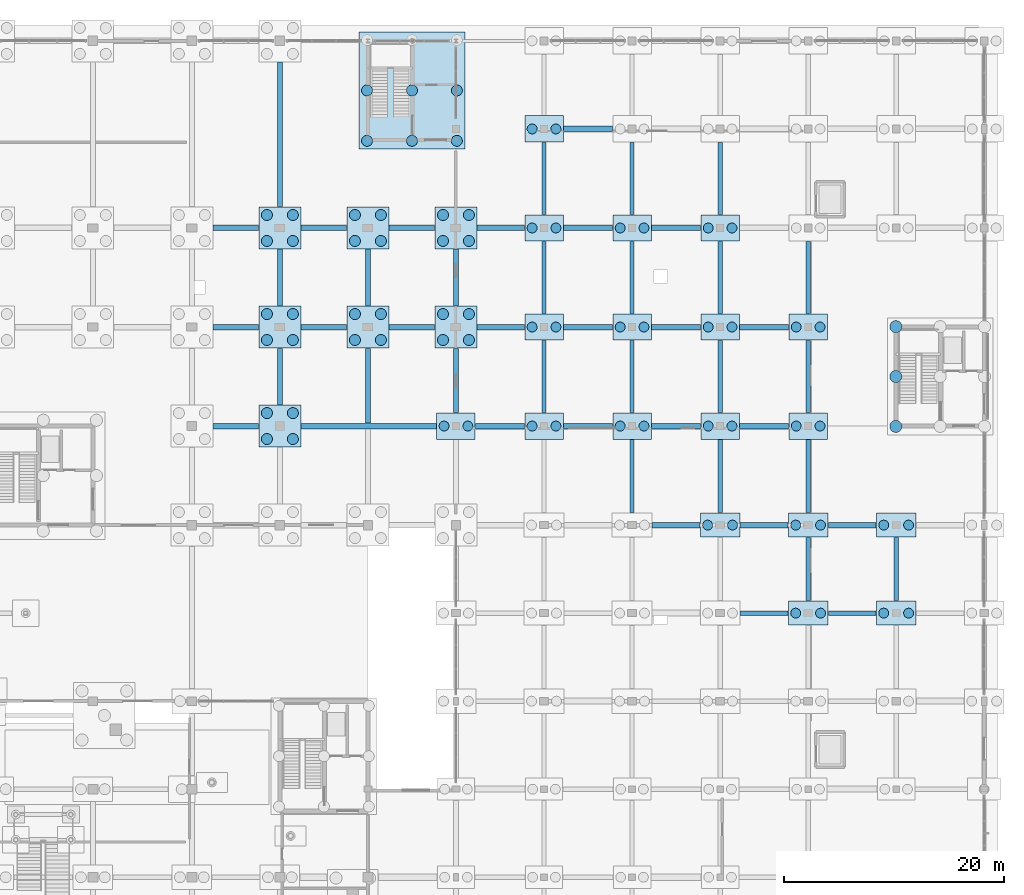
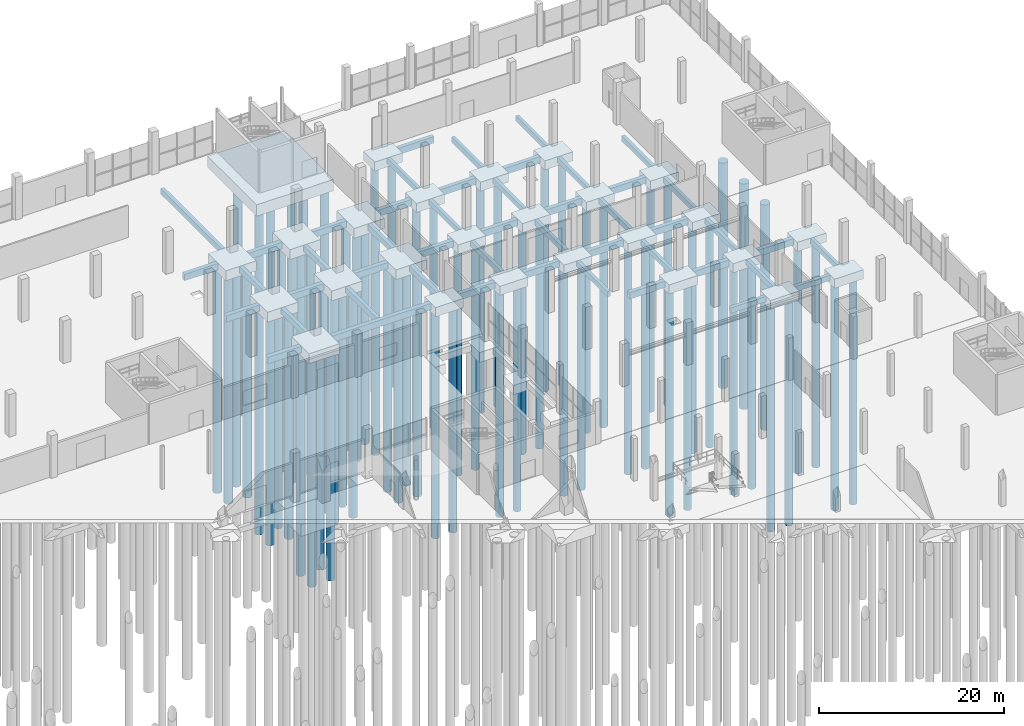
# One storey, part 10 of 98: 74 footings, 73 piles.
"""IFC4 building model written with IfcOpenShell, lengths in metres."""

from ifc_helpers import new_model, si_unit, derived_unit, direction, frame, origin, origin_2d, place, context, subcontext, project, spatial, rectangle, circle, extrude, material, layer, layer_set, material_profile, profile_set, type_object, element, save


model = new_model("IFC4")

# Units and contexts
model_context = context("Model", 3, precision=1e-05, world=origin(), true_north=direction((0.0, 1.0)))
body_context = subcontext(model_context, "Body", "Model", "MODEL_VIEW")
ifc_project = project(units=[si_unit("LENGTHUNIT", "METRE"), si_unit("AREAUNIT", "SQUARE_METRE"), si_unit("VOLUMEUNIT", "CUBIC_METRE"), si_unit("PLANEANGLEUNIT", "RADIAN"), si_unit("MASSUNIT", "GRAM", prefix="KILO"), si_unit("THERMODYNAMICTEMPERATUREUNIT", "KELVIN"), derived_unit("THERMALTRANSMITTANCEUNIT", [(si_unit("POWERUNIT", "WATT"), 1), (si_unit("AREAUNIT", "SQUARE_METRE"), -1), (si_unit("THERMODYNAMICTEMPERATUREUNIT", "KELVIN"), -1)])], contexts=[model_context])

# Site, building, storey
site_placement = place(None, origin())
site = spatial("IfcSite", under=ifc_project, at=site_placement, CompositionType="ELEMENT")
building_placement = place(site_placement, origin())
building = spatial("IfcBuilding", under=site, at=building_placement, Name="Haiyu Intermodal Mobility Hub", CompositionType="ELEMENT")
storey_placement = place(building_placement, origin())
storey = spatial("IfcBuildingStorey", under=building, at=storey_placement, Name="L00", CompositionType="ELEMENT", Elevation=0.0)

# Footings
ifc_material = material(Name="Concrete C40", Category="concrete")
ifc_layer_1 = layer(ifc_material, 1.300048828125)
ifc_layer_set_1 = layer_set([ifc_layer_1], Name="Concrete C40")
footing_type_1 = type_object("IfcFootingType", Name="CAP-PC03", PredefinedType="PILE_CAP", material=ifc_layer_set_1)
for number, where, z_axis, x_axis, name in (
    (1, (146.0, 122.0, -2.2001953125), (0.0, 0.0, 1.0), (1.0, 0.0, 0.0), "Pile Cap CAP-V4-16P"),
    (2, (146.0, 131.0, -2.2001953125), (0.0, 0.0, 1.0), (1.0, 0.0, 0.0), "Pile Cap CAP-V4-16Q"),
    (3, (154.0, 122.0, -2.2001953125), (0.0, 0.0, 1.0), (1.0, 0.0, 0.0), "Pile Cap CAP-V4-17P"),
    (4, (154.0, 131.0, -2.2001953125), (0.0, 0.0, 1.0), (1.0, 0.0, 0.0), "Pile Cap CAP-V4-17Q"),
    (5, (162.0, 122.0, -2.2001953125), (0.0, 0.0, 1.0), (1.0, 0.0, 0.0), "Pile Cap CAP-V4-18P"),
    (6, (162.0, 131.0, -2.2001953125), (0.0, 0.0, 1.0), (1.0, 0.0, 0.0), "Pile Cap CAP-V4-18Q"),
    (7, (146.0, 113.0, -2.2001953125), (0.0, 0.0, 1.0), (1.0, 0.0, 0.0), "Pile Cap CAP-V3S-16N"),
):
    element("IfcFooting", number, at=place(storey_placement, frame(where, z_axis=z_axis, x_axis=x_axis)), inside=storey, type_object=footing_type_1, Name=name, PredefinedType="PILE_CAP", context=body_context, shape_type="SweptSolid", body=[
        extrude(rectangle(XDim=3.800048828125, YDim=3.800048828125, at=origin_2d()), origin(), (0.0, 0.0, 1.0), 1.300048828125),
    ])
ifc_layer_2 = layer(ifc_material, 1.199951171875)
ifc_layer_set_2 = layer_set([ifc_layer_2], Name="Concrete C40")
footing_type_2 = type_object("IfcFootingType", Name="CAP-PC04", PredefinedType="PILE_CAP", material=ifc_layer_set_2)
for number, where, z_axis, x_axis, name in (
    (8, (186.0, 104.0, -2.10009765625), (0.0, 0.0, 1.0), (1.0, 0.0, 0.0), "Pile Cap CAP-V6-21M"),
    (9, (194.0, 96.0, -2.10009765625), (0.0, 0.0, 1.0), (1.0, 0.0, 0.0), "Pile Cap CAP-V6-22L"),
    (10, (194.0, 104.0, -2.10009765625), (0.0, 0.0, 1.0), (1.0, 0.0, 0.0), "Pile Cap CAP-V6-22M"),
    (11, (202.0, 96.0, -2.10009765625), (0.0, 0.0, 1.0), (1.0, 0.0, 0.0), "Pile Cap CAP-V6-23L"),
    (12, (202.0, 104.0, -2.10009765625), (0.0, 0.0, 1.0), (1.0, 0.0, 0.0), "Pile Cap CAP-V6-23M"),
):
    element("IfcFooting", number, at=place(storey_placement, frame(where, z_axis=z_axis, x_axis=x_axis)), inside=storey, type_object=footing_type_2, Name=name, PredefinedType="PILE_CAP", context=body_context, shape_type="SweptSolid", body=[
        extrude(rectangle(XDim=3.60009765625, YDim=2.199951171875, at=origin_2d()), origin(), (0.0, 0.0, 1.0), 1.199951171875),
    ])
ifc_layer_3 = layer(ifc_material, 1.199951171875)
ifc_layer_set_3 = layer_set([ifc_layer_3], Name="Concrete C40")
footing_type_3 = type_object("IfcFootingType", Name="CAP-PC12", PredefinedType="PILE_CAP", material=ifc_layer_set_3)
for number, where, z_axis, x_axis, name in (
    (13, (162.0, 113.0, -2.10009765625), (0.0, 0.0, 1.0), (1.0, 0.0, 0.0), "Pile Cap CAP-V6-18N"),
    (14, (170.0, 113.0, -2.10009765625), (0.0, 0.0, 1.0), (1.0, 0.0, 0.0), "Pile Cap CAP-V6-19N"),
    (15, (170.0, 122.0, -2.10009765625), (0.0, 0.0, 1.0), (1.0, 0.0, 0.0), "Pile Cap CAP-V6-19P"),
    (16, (170.0, 131.0, -2.10009765625), (0.0, 0.0, 1.0), (1.0, 0.0, 0.0), "Pile Cap CAP-V6-19Q"),
    (17, (170.0, 140.0, -2.10009765625), (0.0, 0.0, 1.0), (1.0, 0.0, 0.0), "Pile Cap CAP-V6-19R"),
    (18, (178.0, 113.0, -2.10009765625), (0.0, 0.0, 1.0), (1.0, 0.0, 0.0), "Pile Cap CAP-V6-20N"),
    (19, (178.0, 122.0, -2.10009765625), (0.0, 0.0, 1.0), (1.0, 0.0, 0.0), "Pile Cap CAP-V6-20P"),
    (20, (178.0, 131.0, -2.10009765625), (0.0, 0.0, 1.0), (1.0, 0.0, 0.0), "Pile Cap CAP-V6-20Q"),
    (21, (186.0, 113.0, -2.10009765625), (0.0, 0.0, 1.0), (1.0, 0.0, 0.0), "Pile Cap CAP-V6-21N"),
    (22, (186.0, 122.0, -2.10009765625), (0.0, 0.0, 1.0), (1.0, 0.0, 0.0), "Pile Cap CAP-V6-21P"),
    (23, (186.0, 131.0, -2.10009765625), (0.0, 0.0, 1.0), (1.0, 0.0, 0.0), "Pile Cap CAP-V6-21Q"),
    (24, (194.0, 113.0, -2.10009765625), (0.0, 0.0, 1.0), (1.0, 0.0, 0.0), "Pile Cap CAP-V6-22N"),
    (25, (194.0, 122.0, -2.10009765625), (0.0, 0.0, 1.0), (1.0, 0.0, 0.0), "Pile Cap CAP-V6-22P"),
):
    element("IfcFooting", number, at=place(storey_placement, frame(where, z_axis=z_axis, x_axis=x_axis)), inside=storey, type_object=footing_type_3, Name=name, PredefinedType="PILE_CAP", context=body_context, shape_type="SweptSolid", body=[
        extrude(rectangle(XDim=3.5, YDim=2.39990234375, at=origin_2d()), origin(), (0.0, 0.0, 1.0), 1.199951171875),
    ])
ifc_layer_4 = layer(ifc_material, 1.5)
ifc_layer_set_4 = layer_set([ifc_layer_4], Name="Concrete C40")
footing_type_4 = type_object("IfcFootingType", Name="CAP-PC16", PredefinedType="PILE_CAP", material=ifc_layer_set_4)
footing_1_placement = place(storey_placement, frame((158.0, 143.5, -2.39990234375), z_axis=(0.0, 0.0, 1.0), x_axis=(1.0, 0.0, 0.0)))
element("IfcFooting", 26, at=footing_1_placement, inside=storey, type_object=footing_type_4, Name="Pile Cap CAP-CORE-C4", PredefinedType="PILE_CAP", context=body_context, shape_type="SweptSolid", body=[
    extrude(rectangle(XDim=9.60009765625, YDim=10.60009765625, at=origin_2d()), origin(), (0.0, 0.0, 1.0), 1.5),
])
ifc_material_profile_1 = material_profile(ifc_material, rectangle(XDim=0.5, YDim=0.85009765625, at=origin_2d()), Name="FB500x850")
ifc_profile_set_1 = profile_set([ifc_material_profile_1], Name="Concrete C40")
footing_type_5 = type_object("IfcFootingType", Name="FBM-FB01", PredefinedType="FOOTING_BEAM", material=ifc_profile_set_1)
for number, where, z_axis, x_axis, name in (
    (27, (179.830078125, 104.0, -1.324951171875), (1.0, 0.0, 0.0), (0.0, 1.0, 0.0), "Foundation Tie Beam FBM-X-152"),
    (28, (187.830078125, 104.0, -1.324951171875), (1.0, 0.0, 0.0), (0.0, 1.0, 0.0), "Foundation Tie Beam FBM-X-153"),
    (29, (195.830078125, 104.0, -1.324951171875), (1.0, 0.0, 0.0), (0.0, 1.0, 0.0), "Foundation Tie Beam FBM-X-154"),
):
    element("IfcFooting", number, at=place(storey_placement, frame(where, z_axis=z_axis, x_axis=x_axis)), inside=storey, type_object=footing_type_5, Name=name, PredefinedType="FOOTING_BEAM", context=body_context, shape_type="SweptSolid", body=[
        extrude(rectangle(XDim=0.5, YDim=0.85009765625, at=origin_2d()), origin(), (0.0, 0.0, 1.0), 4.33984375),
    ])
footing_2_placement = place(storey_placement, frame((139.929931640625, 113.0, -1.324951171875), z_axis=(1.0, 0.0, 0.0), x_axis=(0.0, 1.0, 0.0)))
element("IfcFooting", 30, at=footing_2_placement, inside=storey, type_object=footing_type_5, Name="Foundation Tie Beam FBM-X-159", PredefinedType="FOOTING_BEAM", context=body_context, shape_type="SweptSolid", body=[
    extrude(rectangle(XDim=0.5, YDim=0.85009765625, at=origin_2d()), origin(), (0.0, 0.0, 1.0), 4.14013671875),
])
footing_3_placement = place(storey_placement, frame((147.929931640625, 113.0, -1.324951171875), z_axis=(1.0, 0.0, 0.0), x_axis=(0.0, 1.0, 0.0)))
element("IfcFooting", 31, at=footing_3_placement, inside=storey, type_object=footing_type_5, Name="Foundation Tie Beam FBM-X-160", PredefinedType="FOOTING_BEAM", context=body_context, shape_type="SweptSolid", body=[
    extrude(rectangle(XDim=0.5, YDim=0.85009765625, at=origin_2d()), origin(), (0.0, 0.0, 1.0), 12.2900390625),
])
for number, where, z_axis, x_axis, name in (
    (32, (163.780029296875, 113.0, -1.324951171875), (1.0, 0.0, 0.0), (0.0, 1.0, 0.0), "Foundation Tie Beam FBM-X-161"),
    (33, (171.780029296875, 113.0, -1.324951171875), (1.0, 0.0, 0.0), (0.0, 1.0, 0.0), "Foundation Tie Beam FBM-X-162"),
    (34, (179.780029296875, 113.0, -1.324951171875), (1.0, 0.0, 0.0), (0.0, 1.0, 0.0), "Foundation Tie Beam FBM-X-163"),
    (35, (187.780029296875, 113.0, -1.324951171875), (1.0, 0.0, 0.0), (0.0, 1.0, 0.0), "Foundation Tie Beam FBM-X-164"),
):
    element("IfcFooting", number, at=place(storey_placement, frame(where, z_axis=z_axis, x_axis=x_axis)), inside=storey, type_object=footing_type_5, Name=name, PredefinedType="FOOTING_BEAM", context=body_context, shape_type="SweptSolid", body=[
        extrude(rectangle(XDim=0.5, YDim=0.85009765625, at=origin_2d()), origin(), (0.0, 0.0, 1.0), 4.43994140625),
    ])
for number, where, z_axis, x_axis, name in (
    (36, (139.929931640625, 122.0, -1.324951171875), (1.0, 0.0, 0.0), (0.0, 1.0, 0.0), "Foundation Tie Beam FBM-X-178"),
    (37, (147.929931640625, 122.0, -1.324951171875), (1.0, 0.0, 0.0), (0.0, 1.0, 0.0), "Foundation Tie Beam FBM-X-179"),
    (38, (155.929931640625, 122.0, -1.324951171875), (1.0, 0.0, 0.0), (0.0, 1.0, 0.0), "Foundation Tie Beam FBM-X-180"),
):
    element("IfcFooting", number, at=place(storey_placement, frame(where, z_axis=z_axis, x_axis=x_axis)), inside=storey, type_object=footing_type_5, Name=name, PredefinedType="FOOTING_BEAM", context=body_context, shape_type="SweptSolid", body=[
        extrude(rectangle(XDim=0.5, YDim=0.85009765625, at=origin_2d()), origin(), (0.0, 0.0, 1.0), 4.14013671875),
    ])
footing_4_placement = place(storey_placement, frame((163.929931640625, 122.0, -1.324951171875), z_axis=(1.0, 0.0, 0.0), x_axis=(0.0, 1.0, 0.0)))
element("IfcFooting", 39, at=footing_4_placement, inside=storey, type_object=footing_type_5, Name="Foundation Tie Beam FBM-X-181", PredefinedType="FOOTING_BEAM", context=body_context, shape_type="SweptSolid", body=[
    extrude(rectangle(XDim=0.5, YDim=0.85009765625, at=origin_2d()), origin(), (0.0, 0.0, 1.0), 4.2900390625),
])
for number, where, z_axis, x_axis, name in (
    (40, (171.780029296875, 122.0, -1.324951171875), (1.0, 0.0, 0.0), (0.0, 1.0, 0.0), "Foundation Tie Beam FBM-X-182"),
    (41, (179.780029296875, 122.0, -1.324951171875), (1.0, 0.0, 0.0), (0.0, 1.0, 0.0), "Foundation Tie Beam FBM-X-183"),
    (42, (187.780029296875, 122.0, -1.324951171875), (1.0, 0.0, 0.0), (0.0, 1.0, 0.0), "Foundation Tie Beam FBM-X-184"),
):
    element("IfcFooting", number, at=place(storey_placement, frame(where, z_axis=z_axis, x_axis=x_axis)), inside=storey, type_object=footing_type_5, Name=name, PredefinedType="FOOTING_BEAM", context=body_context, shape_type="SweptSolid", body=[
        extrude(rectangle(XDim=0.5, YDim=0.85009765625, at=origin_2d()), origin(), (0.0, 0.0, 1.0), 4.43994140625),
    ])
for number, where, z_axis, x_axis, name in (
    (43, (139.929931640625, 131.0, -1.324951171875), (1.0, 0.0, 0.0), (0.0, 1.0, 0.0), "Foundation Tie Beam FBM-X-198"),
    (44, (147.929931640625, 131.0, -1.324951171875), (1.0, 0.0, 0.0), (0.0, 1.0, 0.0), "Foundation Tie Beam FBM-X-199"),
    (45, (155.929931640625, 131.0, -1.324951171875), (1.0, 0.0, 0.0), (0.0, 1.0, 0.0), "Foundation Tie Beam FBM-X-200"),
):
    element("IfcFooting", number, at=place(storey_placement, frame(where, z_axis=z_axis, x_axis=x_axis)), inside=storey, type_object=footing_type_5, Name=name, PredefinedType="FOOTING_BEAM", context=body_context, shape_type="SweptSolid", body=[
        extrude(rectangle(XDim=0.5, YDim=0.85009765625, at=origin_2d()), origin(), (0.0, 0.0, 1.0), 4.14013671875),
    ])
footing_5_placement = place(storey_placement, frame((163.929931640625, 131.0, -1.324951171875), z_axis=(1.0, 0.0, 0.0), x_axis=(0.0, 1.0, 0.0)))
element("IfcFooting", 46, at=footing_5_placement, inside=storey, type_object=footing_type_5, Name="Foundation Tie Beam FBM-X-201", PredefinedType="FOOTING_BEAM", context=body_context, shape_type="SweptSolid", body=[
    extrude(rectangle(XDim=0.5, YDim=0.85009765625, at=origin_2d()), origin(), (0.0, 0.0, 1.0), 4.2900390625),
])
for number, where, z_axis, x_axis, name in (
    (47, (171.780029296875, 131.0, -1.324951171875), (1.0, 0.0, 0.0), (0.0, 1.0, 0.0), "Foundation Tie Beam FBM-X-202"),
    (48, (179.780029296875, 131.0, -1.324951171875), (1.0, 0.0, 0.0), (0.0, 1.0, 0.0), "Foundation Tie Beam FBM-X-203"),
    (49, (171.780029296875, 140.0, -1.324951171875), (1.0, 0.0, 0.0), (0.0, 1.0, 0.0), "Foundation Tie Beam FBM-X-207"),
):
    element("IfcFooting", number, at=place(storey_placement, frame(where, z_axis=z_axis, x_axis=x_axis)), inside=storey, type_object=footing_type_5, Name=name, PredefinedType="FOOTING_BEAM", context=body_context, shape_type="SweptSolid", body=[
        extrude(rectangle(XDim=0.5, YDim=0.85009765625, at=origin_2d()), origin(), (0.0, 0.0, 1.0), 4.43994140625),
    ])
ifc_material_profile_2 = material_profile(ifc_material, rectangle(XDim=0.449951171875, YDim=0.75, at=origin_2d()), Name="FB450x750")
ifc_profile_set_2 = profile_set([ifc_material_profile_2], Name="Concrete C40")
footing_type_6 = type_object("IfcFootingType", Name="FBM-FB02", PredefinedType="FOOTING_BEAM", material=ifc_profile_set_2)
for number, where, z_axis, x_axis, name in (
    (50, (146.0, 114.929931640625, -1.27490234375), (0.0, 1.0, 0.0), (-1.0, 0.0, 0.0), "Foundation Tie Beam FBM-Y-342"),
    (51, (146.0, 123.929931640625, -1.27490234375), (0.0, 1.0, 0.0), (-1.0, 0.0, 0.0), "Foundation Tie Beam FBM-Y-343"),
):
    element("IfcFooting", number, at=place(storey_placement, frame(where, z_axis=z_axis, x_axis=x_axis)), inside=storey, type_object=footing_type_6, Name=name, PredefinedType="FOOTING_BEAM", context=body_context, shape_type="SweptSolid", body=[
        extrude(rectangle(XDim=0.449951171875, YDim=0.75, at=origin_2d()), origin(), (0.0, 0.0, 1.0), 5.14013671875),
    ])
footing_6_placement = place(storey_placement, frame((146.0, 132.929931640625, -1.27490234375), z_axis=(0.0, 1.0, 0.0), x_axis=(-1.0, 0.0, 0.0)))
element("IfcFooting", 52, at=footing_6_placement, inside=storey, type_object=footing_type_6, Name="Foundation Tie Beam FBM-Y-344", PredefinedType="FOOTING_BEAM", context=body_context, shape_type="SweptSolid", body=[
    extrude(rectangle(XDim=0.449951171875, YDim=0.75, at=origin_2d()), origin(), (0.0, 0.0, 1.0), 13.14013671875),
])
footing_7_placement = place(storey_placement, frame((154.0, 113.280029296875, -1.27490234375), z_axis=(0.0, 1.0, 0.0), x_axis=(-1.0, 0.0, 0.0)))
element("IfcFooting", 53, at=footing_7_placement, inside=storey, type_object=footing_type_6, Name="Foundation Tie Beam FBM-Y-348", PredefinedType="FOOTING_BEAM", context=body_context, shape_type="SweptSolid", body=[
    extrude(rectangle(XDim=0.449951171875, YDim=0.75, at=origin_2d()), origin(), (0.0, 0.0, 1.0), 6.7900390625),
])
footing_8_placement = place(storey_placement, frame((154.0, 123.929931640625, -1.27490234375), z_axis=(0.0, 1.0, 0.0), x_axis=(-1.0, 0.0, 0.0)))
element("IfcFooting", 54, at=footing_8_placement, inside=storey, type_object=footing_type_6, Name="Foundation Tie Beam FBM-Y-349", PredefinedType="FOOTING_BEAM", context=body_context, shape_type="SweptSolid", body=[
    extrude(rectangle(XDim=0.449951171875, YDim=0.75, at=origin_2d()), origin(), (0.0, 0.0, 1.0), 5.14013671875),
])
footing_9_placement = place(storey_placement, frame((162.0, 114.22998046875, -1.27490234375), z_axis=(0.0, 1.0, 0.0), x_axis=(-1.0, 0.0, 0.0)))
element("IfcFooting", 55, at=footing_9_placement, inside=storey, type_object=footing_type_6, Name="Foundation Tie Beam FBM-Y-360", PredefinedType="FOOTING_BEAM", context=body_context, shape_type="SweptSolid", body=[
    extrude(rectangle(XDim=0.449951171875, YDim=0.75, at=origin_2d()), origin(), (0.0, 0.0, 1.0), 5.840087890625),
])
footing_10_placement = place(storey_placement, frame((162.0, 123.929931640625, -1.27490234375), z_axis=(0.0, 1.0, 0.0), x_axis=(-1.0, 0.0, 0.0)))
element("IfcFooting", 56, at=footing_10_placement, inside=storey, type_object=footing_type_6, Name="Foundation Tie Beam FBM-Y-361", PredefinedType="FOOTING_BEAM", context=body_context, shape_type="SweptSolid", body=[
    extrude(rectangle(XDim=0.449951171875, YDim=0.75, at=origin_2d()), origin(), (0.0, 0.0, 1.0), 5.14013671875),
])
ifc_material_profile_3 = material_profile(ifc_material, rectangle(XDim=0.39990234375, YDim=0.699951171875, at=origin_2d()), Name="FB400x700")
ifc_profile_set_3 = profile_set([ifc_material_profile_3], Name="Concrete C40")
footing_type_7 = type_object("IfcFootingType", Name="FBM-FB03", PredefinedType="FOOTING_BEAM", material=ifc_profile_set_3)
for number, where, z_axis, x_axis, name in (
    (57, (187.830078125, 96.0, -1.25), (1.0, 0.0, 0.0), (0.0, 1.0, 0.0), "Foundation Tie Beam FBM-X-137"),
    (58, (195.830078125, 96.0, -1.25), (1.0, 0.0, 0.0), (0.0, 1.0, 0.0), "Foundation Tie Beam FBM-X-138"),
):
    element("IfcFooting", number, at=place(storey_placement, frame(where, z_axis=z_axis, x_axis=x_axis)), inside=storey, type_object=footing_type_7, Name=name, PredefinedType="FOOTING_BEAM", context=body_context, shape_type="SweptSolid", body=[
        extrude(rectangle(XDim=0.39990234375, YDim=0.699951171875, at=origin_2d()), origin(), (0.0, 0.0, 1.0), 4.33984375),
    ])
for number, where, z_axis, x_axis, name in (
    (59, (170.0, 114.22998046875, -1.25), (0.0, 1.0, 0.0), (-1.0, 0.0, 0.0), "Foundation Tie Beam FBM-Y-376"),
    (60, (170.0, 123.22998046875, -1.25), (0.0, 1.0, 0.0), (-1.0, 0.0, 0.0), "Foundation Tie Beam FBM-Y-377"),
    (61, (170.0, 132.22998046875, -1.25), (0.0, 1.0, 0.0), (-1.0, 0.0, 0.0), "Foundation Tie Beam FBM-Y-378"),
):
    element("IfcFooting", number, at=place(storey_placement, frame(where, z_axis=z_axis, x_axis=x_axis)), inside=storey, type_object=footing_type_7, Name=name, PredefinedType="FOOTING_BEAM", context=body_context, shape_type="SweptSolid", body=[
        extrude(rectangle(XDim=0.39990234375, YDim=0.699951171875, at=origin_2d()), origin(), (0.0, 0.0, 1.0), 6.5400390625),
    ])
footing_11_placement = place(storey_placement, frame((178.0, 105.1298828125, -1.25), z_axis=(0.0, 1.0, 0.0), x_axis=(-1.0, 0.0, 0.0)))
element("IfcFooting", 62, at=footing_11_placement, inside=storey, type_object=footing_type_7, Name="Foundation Tie Beam FBM-Y-391", PredefinedType="FOOTING_BEAM", context=body_context, shape_type="SweptSolid", body=[
    extrude(rectangle(XDim=0.39990234375, YDim=0.699951171875, at=origin_2d()), origin(), (0.0, 0.0, 1.0), 6.64013671875),
])
for number, where, z_axis, x_axis, name in (
    (63, (178.0, 114.22998046875, -1.25), (0.0, 1.0, 0.0), (-1.0, 0.0, 0.0), "Foundation Tie Beam FBM-Y-392"),
    (64, (178.0, 123.22998046875, -1.25), (0.0, 1.0, 0.0), (-1.0, 0.0, 0.0), "Foundation Tie Beam FBM-Y-393"),
    (65, (178.0, 132.22998046875, -1.25), (0.0, 1.0, 0.0), (-1.0, 0.0, 0.0), "Foundation Tie Beam FBM-Y-394"),
):
    element("IfcFooting", number, at=place(storey_placement, frame(where, z_axis=z_axis, x_axis=x_axis)), inside=storey, type_object=footing_type_7, Name=name, PredefinedType="FOOTING_BEAM", context=body_context, shape_type="SweptSolid", body=[
        extrude(rectangle(XDim=0.39990234375, YDim=0.699951171875, at=origin_2d()), origin(), (0.0, 0.0, 1.0), 6.5400390625),
    ])
footing_12_placement = place(storey_placement, frame((186.0, 105.1298828125, -1.25), z_axis=(0.0, 1.0, 0.0), x_axis=(-1.0, 0.0, 0.0)))
element("IfcFooting", 66, at=footing_12_placement, inside=storey, type_object=footing_type_7, Name="Foundation Tie Beam FBM-Y-407", PredefinedType="FOOTING_BEAM", context=body_context, shape_type="SweptSolid", body=[
    extrude(rectangle(XDim=0.39990234375, YDim=0.699951171875, at=origin_2d()), origin(), (0.0, 0.0, 1.0), 6.64013671875),
])
for number, where, z_axis, x_axis, name in (
    (67, (186.0, 114.22998046875, -1.25), (0.0, 1.0, 0.0), (-1.0, 0.0, 0.0), "Foundation Tie Beam FBM-Y-408"),
    (68, (186.0, 123.22998046875, -1.25), (0.0, 1.0, 0.0), (-1.0, 0.0, 0.0), "Foundation Tie Beam FBM-Y-409"),
    (69, (186.0, 132.22998046875, -1.25), (0.0, 1.0, 0.0), (-1.0, 0.0, 0.0), "Foundation Tie Beam FBM-Y-410"),
):
    element("IfcFooting", number, at=place(storey_placement, frame(where, z_axis=z_axis, x_axis=x_axis)), inside=storey, type_object=footing_type_7, Name=name, PredefinedType="FOOTING_BEAM", context=body_context, shape_type="SweptSolid", body=[
        extrude(rectangle(XDim=0.39990234375, YDim=0.699951171875, at=origin_2d()), origin(), (0.0, 0.0, 1.0), 6.5400390625),
    ])
footing_13_placement = place(storey_placement, frame((194.0, 97.1298828125, -1.25), z_axis=(0.0, 1.0, 0.0), x_axis=(-1.0, 0.0, 0.0)))
element("IfcFooting", 70, at=footing_13_placement, inside=storey, type_object=footing_type_7, Name="Foundation Tie Beam FBM-Y-422", PredefinedType="FOOTING_BEAM", context=body_context, shape_type="SweptSolid", body=[
    extrude(rectangle(XDim=0.39990234375, YDim=0.699951171875, at=origin_2d()), origin(), (0.0, 0.0, 1.0), 5.740234375),
])
footing_14_placement = place(storey_placement, frame((194.0, 105.1298828125, -1.25), z_axis=(0.0, 1.0, 0.0), x_axis=(-1.0, 0.0, 0.0)))
element("IfcFooting", 71, at=footing_14_placement, inside=storey, type_object=footing_type_7, Name="Foundation Tie Beam FBM-Y-423", PredefinedType="FOOTING_BEAM", context=body_context, shape_type="SweptSolid", body=[
    extrude(rectangle(XDim=0.39990234375, YDim=0.699951171875, at=origin_2d()), origin(), (0.0, 0.0, 1.0), 6.64013671875),
])
for number, where, z_axis, x_axis, name in (
    (72, (194.0, 114.22998046875, -1.25), (0.0, 1.0, 0.0), (-1.0, 0.0, 0.0), "Foundation Tie Beam FBM-Y-424"),
    (73, (194.0, 123.22998046875, -1.25), (0.0, 1.0, 0.0), (-1.0, 0.0, 0.0), "Foundation Tie Beam FBM-Y-425"),
):
    element("IfcFooting", number, at=place(storey_placement, frame(where, z_axis=z_axis, x_axis=x_axis)), inside=storey, type_object=footing_type_7, Name=name, PredefinedType="FOOTING_BEAM", context=body_context, shape_type="SweptSolid", body=[
        extrude(rectangle(XDim=0.39990234375, YDim=0.699951171875, at=origin_2d()), origin(), (0.0, 0.0, 1.0), 6.5400390625),
    ])
footing_15_placement = place(storey_placement, frame((202.0, 97.1298828125, -1.25), z_axis=(0.0, 1.0, 0.0), x_axis=(-1.0, 0.0, 0.0)))
element("IfcFooting", 74, at=footing_15_placement, inside=storey, type_object=footing_type_7, Name="Foundation Tie Beam FBM-Y-435", PredefinedType="FOOTING_BEAM", context=body_context, shape_type="SweptSolid", body=[
    extrude(rectangle(XDim=0.39990234375, YDim=0.699951171875, at=origin_2d()), origin(), (0.0, 0.0, 1.0), 5.740234375),
])

# Piles
ifc_material_profile_4 = material_profile(ifc_material, circle(Radius=0.550048828125, at=origin_2d()), Name="PILE-D1100")
ifc_profile_set_4 = profile_set([ifc_material_profile_4], Name="Concrete C40")
pile_type_1 = type_object("IfcPileType", Name="PILE-PL01", PredefinedType="BORED", material=ifc_profile_set_4)
for number, where, z_axis, x_axis, name in (
    (75, (201.969970703125, 112.969970703125, -2.300048828125), (0.0, 0.0, -1.0), (1.0, 0.0, 0.0), "Bored Pile CAP-CORE-C10-P1"),
    (76, (201.969970703125, 117.5, -2.300048828125), (0.0, 0.0, -1.0), (1.0, 0.0, 0.0), "Bored Pile CAP-CORE-C10-P2"),
    (77, (201.969970703125, 122.030029296875, -2.300048828125), (0.0, 0.0, -1.0), (1.0, 0.0, 0.0), "Bored Pile CAP-CORE-C10-P3"),
):
    element("IfcPile", number, at=place(storey_placement, frame(where, z_axis=z_axis, x_axis=x_axis)), inside=storey, type_object=pile_type_1, Name=name, PredefinedType="BORED", context=body_context, shape_type="SweptSolid", body=[
        extrude(circle(Radius=0.550048828125, at=origin_2d()), origin(), (0.0, 0.0, 1.0), 29.699951171875),
    ])
ifc_material_profile_5 = material_profile(ifc_material, circle(Radius=0.5, at=origin_2d()), Name="PILE-D1000")
ifc_profile_set_5 = profile_set([ifc_material_profile_5], Name="Concrete C40")
pile_type_2 = type_object("IfcPileType", Name="PILE-PL02", PredefinedType="BORED", material=ifc_profile_set_5)
for number, where, z_axis, x_axis, name in (
    (78, (153.919921875, 138.919921875, -2.300048828125), (0.0, 0.0, -1.0), (1.0, 0.0, 0.0), "Bored Pile CAP-CORE-C4-P1"),
    (79, (153.919921875, 143.5, -2.300048828125), (0.0, 0.0, -1.0), (1.0, 0.0, 0.0), "Bored Pile CAP-CORE-C4-P2"),
    (80, (158.0, 138.919921875, -2.300048828125), (0.0, 0.0, -1.0), (1.0, 0.0, 0.0), "Bored Pile CAP-CORE-C4-P4"),
    (81, (158.0, 143.5, -2.300048828125), (0.0, 0.0, -1.0), (1.0, 0.0, 0.0), "Bored Pile CAP-CORE-C4-P5"),
    (82, (162.080078125, 138.919921875, -2.300048828125), (0.0, 0.0, -1.0), (1.0, 0.0, 0.0), "Bored Pile CAP-CORE-C4-P7"),
    (83, (162.080078125, 143.5, -2.300048828125), (0.0, 0.0, -1.0), (1.0, 0.0, 0.0), "Bored Pile CAP-CORE-C4-P8"),
):
    element("IfcPile", number, at=place(storey_placement, frame(where, z_axis=z_axis, x_axis=x_axis)), inside=storey, type_object=pile_type_2, Name=name, PredefinedType="BORED", context=body_context, shape_type="SweptSolid", body=[
        extrude(circle(Radius=0.5, at=origin_2d()), origin(), (0.0, 0.0, 1.0), 29.699951171875),
    ])
for number, where, z_axis, x_axis, name in (
    (84, (144.820068359375, 120.820068359375, -2.10009765625), (0.0, 0.0, -1.0), (1.0, 0.0, 0.0), "Bored Pile CAP-V4-16P-P1"),
    (85, (147.179931640625, 120.820068359375, -2.10009765625), (0.0, 0.0, -1.0), (1.0, 0.0, 0.0), "Bored Pile CAP-V4-16P-P2"),
    (86, (144.820068359375, 123.179931640625, -2.10009765625), (0.0, 0.0, -1.0), (1.0, 0.0, 0.0), "Bored Pile CAP-V4-16P-P3"),
    (87, (147.179931640625, 123.179931640625, -2.10009765625), (0.0, 0.0, -1.0), (1.0, 0.0, 0.0), "Bored Pile CAP-V4-16P-P4"),
    (88, (144.820068359375, 129.820068359375, -2.10009765625), (0.0, 0.0, -1.0), (1.0, 0.0, 0.0), "Bored Pile CAP-V4-16Q-P1"),
    (89, (147.179931640625, 129.820068359375, -2.10009765625), (0.0, 0.0, -1.0), (1.0, 0.0, 0.0), "Bored Pile CAP-V4-16Q-P2"),
    (90, (144.820068359375, 132.179931640625, -2.10009765625), (0.0, 0.0, -1.0), (1.0, 0.0, 0.0), "Bored Pile CAP-V4-16Q-P3"),
    (91, (147.179931640625, 132.179931640625, -2.10009765625), (0.0, 0.0, -1.0), (1.0, 0.0, 0.0), "Bored Pile CAP-V4-16Q-P4"),
    (92, (152.820068359375, 120.820068359375, -2.10009765625), (0.0, 0.0, -1.0), (1.0, 0.0, 0.0), "Bored Pile CAP-V4-17P-P1"),
    (93, (155.179931640625, 120.820068359375, -2.10009765625), (0.0, 0.0, -1.0), (1.0, 0.0, 0.0), "Bored Pile CAP-V4-17P-P2"),
    (94, (152.820068359375, 123.179931640625, -2.10009765625), (0.0, 0.0, -1.0), (1.0, 0.0, 0.0), "Bored Pile CAP-V4-17P-P3"),
    (95, (155.179931640625, 123.179931640625, -2.10009765625), (0.0, 0.0, -1.0), (1.0, 0.0, 0.0), "Bored Pile CAP-V4-17P-P4"),
    (96, (152.820068359375, 129.820068359375, -2.10009765625), (0.0, 0.0, -1.0), (1.0, 0.0, 0.0), "Bored Pile CAP-V4-17Q-P1"),
    (97, (155.179931640625, 129.820068359375, -2.10009765625), (0.0, 0.0, -1.0), (1.0, 0.0, 0.0), "Bored Pile CAP-V4-17Q-P2"),
    (98, (152.820068359375, 132.179931640625, -2.10009765625), (0.0, 0.0, -1.0), (1.0, 0.0, 0.0), "Bored Pile CAP-V4-17Q-P3"),
    (99, (155.179931640625, 132.179931640625, -2.10009765625), (0.0, 0.0, -1.0), (1.0, 0.0, 0.0), "Bored Pile CAP-V4-17Q-P4"),
    (100, (160.820068359375, 120.820068359375, -2.10009765625), (0.0, 0.0, -1.0), (1.0, 0.0, 0.0), "Bored Pile CAP-V4-18P-P1"),
    (101, (163.179931640625, 120.820068359375, -2.10009765625), (0.0, 0.0, -1.0), (1.0, 0.0, 0.0), "Bored Pile CAP-V4-18P-P2"),
    (102, (160.820068359375, 123.179931640625, -2.10009765625), (0.0, 0.0, -1.0), (1.0, 0.0, 0.0), "Bored Pile CAP-V4-18P-P3"),
    (103, (163.179931640625, 123.179931640625, -2.10009765625), (0.0, 0.0, -1.0), (1.0, 0.0, 0.0), "Bored Pile CAP-V4-18P-P4"),
    (104, (160.820068359375, 129.820068359375, -2.10009765625), (0.0, 0.0, -1.0), (1.0, 0.0, 0.0), "Bored Pile CAP-V4-18Q-P1"),
    (105, (163.179931640625, 129.820068359375, -2.10009765625), (0.0, 0.0, -1.0), (1.0, 0.0, 0.0), "Bored Pile CAP-V4-18Q-P2"),
    (106, (160.820068359375, 132.179931640625, -2.10009765625), (0.0, 0.0, -1.0), (1.0, 0.0, 0.0), "Bored Pile CAP-V4-18Q-P3"),
    (107, (163.179931640625, 132.179931640625, -2.10009765625), (0.0, 0.0, -1.0), (1.0, 0.0, 0.0), "Bored Pile CAP-V4-18Q-P4"),
    (108, (144.820068359375, 111.820068359375, -2.10009765625), (0.0, 0.0, -1.0), (1.0, 0.0, 0.0), "Bored Pile CAP-V3S-16N-P1"),
    (109, (147.179931640625, 111.820068359375, -2.10009765625), (0.0, 0.0, -1.0), (1.0, 0.0, 0.0), "Bored Pile CAP-V3S-16N-P2"),
    (110, (144.820068359375, 114.179931640625, -2.10009765625), (0.0, 0.0, -1.0), (1.0, 0.0, 0.0), "Bored Pile CAP-V3S-16N-P3"),
    (111, (147.179931640625, 114.179931640625, -2.10009765625), (0.0, 0.0, -1.0), (1.0, 0.0, 0.0), "Bored Pile CAP-V3S-16N-P4"),
):
    element("IfcPile", number, at=place(storey_placement, frame(where, z_axis=z_axis, x_axis=x_axis)), inside=storey, type_object=pile_type_2, Name=name, PredefinedType="BORED", context=body_context, shape_type="SweptSolid", body=[
        extrude(circle(Radius=0.5, at=origin_2d()), origin(), (0.0, 0.0, 1.0), 29.89990234375),
    ])
ifc_material_profile_6 = material_profile(ifc_material, circle(Radius=0.449951171875, at=origin_2d()), Name="PILE-D900")
ifc_profile_set_6 = profile_set([ifc_material_profile_6], Name="Concrete C40")
pile_type_3 = type_object("IfcPileType", Name="PILE-PL03", PredefinedType="BORED", material=ifc_profile_set_6)
for number, where, z_axis, x_axis, name in (
    (112, (160.919921875, 113.0, -2.0), (0.0, 0.0, -1.0), (1.0, 0.0, 0.0), "Bored Pile CAP-V6-18N-P1"),
    (113, (163.080078125, 113.0, -2.0), (0.0, 0.0, -1.0), (1.0, 0.0, 0.0), "Bored Pile CAP-V6-18N-P2"),
    (114, (168.919921875, 113.0, -2.0), (0.0, 0.0, -1.0), (1.0, 0.0, 0.0), "Bored Pile CAP-V6-19N-P1"),
    (115, (171.080078125, 113.0, -2.0), (0.0, 0.0, -1.0), (1.0, 0.0, 0.0), "Bored Pile CAP-V6-19N-P2"),
    (116, (168.919921875, 122.0, -2.0), (0.0, 0.0, -1.0), (1.0, 0.0, 0.0), "Bored Pile CAP-V6-19P-P1"),
    (117, (171.080078125, 122.0, -2.0), (0.0, 0.0, -1.0), (1.0, 0.0, 0.0), "Bored Pile CAP-V6-19P-P2"),
    (118, (168.919921875, 131.0, -2.0), (0.0, 0.0, -1.0), (1.0, 0.0, 0.0), "Bored Pile CAP-V6-19Q-P1"),
    (119, (171.080078125, 131.0, -2.0), (0.0, 0.0, -1.0), (1.0, 0.0, 0.0), "Bored Pile CAP-V6-19Q-P2"),
    (120, (168.919921875, 140.0, -2.0), (0.0, 0.0, -1.0), (1.0, 0.0, 0.0), "Bored Pile CAP-V6-19R-P1"),
    (121, (171.080078125, 140.0, -2.0), (0.0, 0.0, -1.0), (1.0, 0.0, 0.0), "Bored Pile CAP-V6-19R-P2"),
    (122, (176.919921875, 113.0, -2.0), (0.0, 0.0, -1.0), (1.0, 0.0, 0.0), "Bored Pile CAP-V6-20N-P1"),
    (123, (179.080078125, 113.0, -2.0), (0.0, 0.0, -1.0), (1.0, 0.0, 0.0), "Bored Pile CAP-V6-20N-P2"),
    (124, (176.919921875, 122.0, -2.0), (0.0, 0.0, -1.0), (1.0, 0.0, 0.0), "Bored Pile CAP-V6-20P-P1"),
    (125, (179.080078125, 122.0, -2.0), (0.0, 0.0, -1.0), (1.0, 0.0, 0.0), "Bored Pile CAP-V6-20P-P2"),
    (126, (176.919921875, 131.0, -2.0), (0.0, 0.0, -1.0), (1.0, 0.0, 0.0), "Bored Pile CAP-V6-20Q-P1"),
    (127, (179.080078125, 131.0, -2.0), (0.0, 0.0, -1.0), (1.0, 0.0, 0.0), "Bored Pile CAP-V6-20Q-P2"),
    (128, (184.8701171875, 104.0, -2.0), (0.0, 0.0, -1.0), (1.0, 0.0, 0.0), "Bored Pile CAP-V6-21M-P1"),
    (129, (187.1298828125, 104.0, -2.0), (0.0, 0.0, -1.0), (1.0, 0.0, 0.0), "Bored Pile CAP-V6-21M-P2"),
    (130, (184.919921875, 113.0, -2.0), (0.0, 0.0, -1.0), (1.0, 0.0, 0.0), "Bored Pile CAP-V6-21N-P1"),
    (131, (187.080078125, 113.0, -2.0), (0.0, 0.0, -1.0), (1.0, 0.0, 0.0), "Bored Pile CAP-V6-21N-P2"),
    (132, (184.919921875, 122.0, -2.0), (0.0, 0.0, -1.0), (1.0, 0.0, 0.0), "Bored Pile CAP-V6-21P-P1"),
    (133, (187.080078125, 122.0, -2.0), (0.0, 0.0, -1.0), (1.0, 0.0, 0.0), "Bored Pile CAP-V6-21P-P2"),
    (134, (184.919921875, 131.0, -2.0), (0.0, 0.0, -1.0), (1.0, 0.0, 0.0), "Bored Pile CAP-V6-21Q-P1"),
    (135, (187.080078125, 131.0, -2.0), (0.0, 0.0, -1.0), (1.0, 0.0, 0.0), "Bored Pile CAP-V6-21Q-P2"),
    (136, (192.8701171875, 96.0, -2.0), (0.0, 0.0, -1.0), (1.0, 0.0, 0.0), "Bored Pile CAP-V6-22L-P1"),
    (137, (195.1298828125, 96.0, -2.0), (0.0, 0.0, -1.0), (1.0, 0.0, 0.0), "Bored Pile CAP-V6-22L-P2"),
    (138, (192.8701171875, 104.0, -2.0), (0.0, 0.0, -1.0), (1.0, 0.0, 0.0), "Bored Pile CAP-V6-22M-P1"),
    (139, (195.1298828125, 104.0, -2.0), (0.0, 0.0, -1.0), (1.0, 0.0, 0.0), "Bored Pile CAP-V6-22M-P2"),
    (140, (192.919921875, 113.0, -2.0), (0.0, 0.0, -1.0), (1.0, 0.0, 0.0), "Bored Pile CAP-V6-22N-P1"),
    (141, (195.080078125, 113.0, -2.0), (0.0, 0.0, -1.0), (1.0, 0.0, 0.0), "Bored Pile CAP-V6-22N-P2"),
    (142, (192.919921875, 122.0, -2.0), (0.0, 0.0, -1.0), (1.0, 0.0, 0.0), "Bored Pile CAP-V6-22P-P1"),
    (143, (195.080078125, 122.0, -2.0), (0.0, 0.0, -1.0), (1.0, 0.0, 0.0), "Bored Pile CAP-V6-22P-P2"),
    (144, (200.8701171875, 96.0, -2.0), (0.0, 0.0, -1.0), (1.0, 0.0, 0.0), "Bored Pile CAP-V6-23L-P1"),
    (145, (203.1298828125, 96.0, -2.0), (0.0, 0.0, -1.0), (1.0, 0.0, 0.0), "Bored Pile CAP-V6-23L-P2"),
    (146, (200.8701171875, 104.0, -2.0), (0.0, 0.0, -1.0), (1.0, 0.0, 0.0), "Bored Pile CAP-V6-23M-P1"),
    (147, (203.1298828125, 104.0, -2.0), (0.0, 0.0, -1.0), (1.0, 0.0, 0.0), "Bored Pile CAP-V6-23M-P2"),
):
    element("IfcPile", number, at=place(storey_placement, frame(where, z_axis=z_axis, x_axis=x_axis)), inside=storey, type_object=pile_type_3, Name=name, PredefinedType="BORED", context=body_context, shape_type="SweptSolid", body=[
        extrude(circle(Radius=0.449951171875, at=origin_2d()), origin(), (0.0, 0.0, 1.0), 30.0),
    ])

save(model, "model.ifc")
